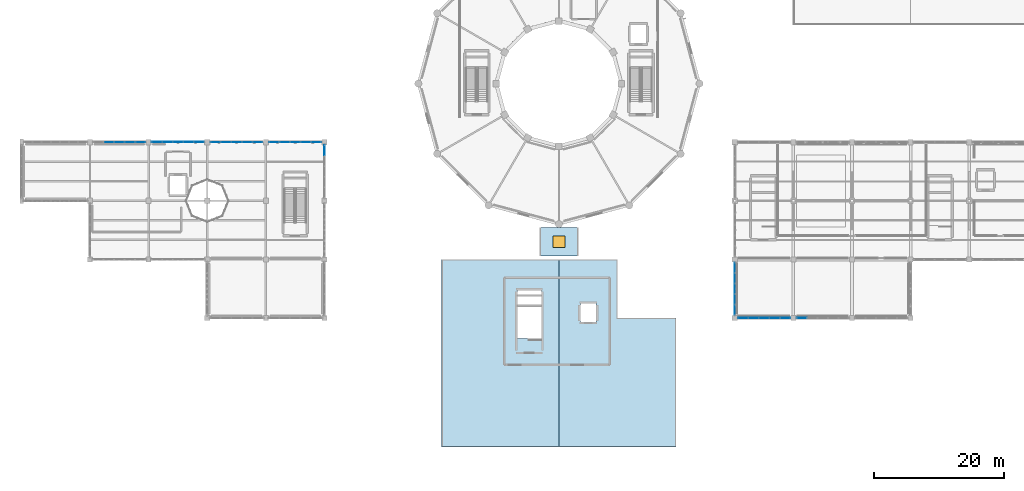
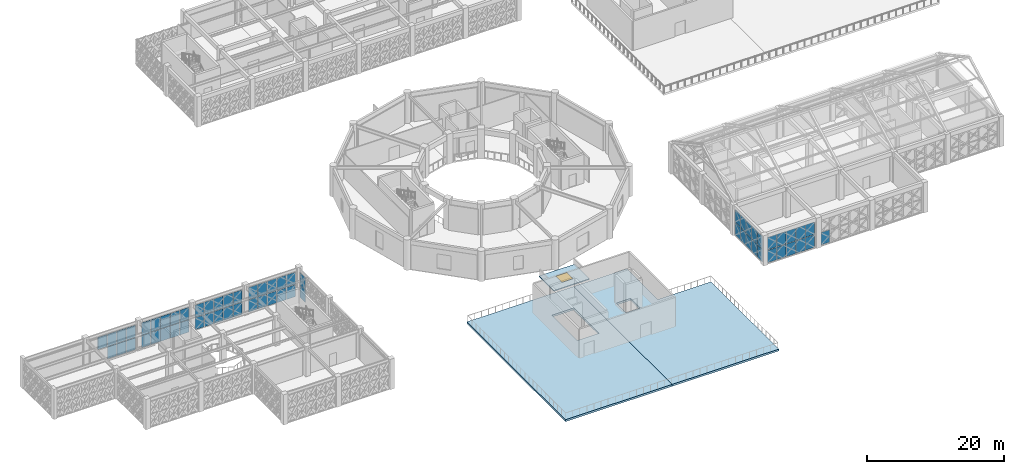
# One storey, part 63 of 86: 60 plates, 3 slabs, 1 window, 1 opening, 8 elements without a shape of their own.
"""IFC4 building model written with IfcOpenShell, lengths in metres."""

from ifc_helpers import new_model, si_unit, direction, frame, origin, origin_2d, place, context, subcontext, project, spatial, polyline, rectangle, outline, extrude, material, layer, layer_set, type_object, element, fill, aggregate, save


model = new_model("IFC4")

# Units and contexts
model_context = context("Model", 3, precision=1e-05, world=origin(), true_north=direction((0.0, 1.0)))
body_context = subcontext(model_context, "Body", "Model", "MODEL_VIEW")
ifc_project = project(units=[si_unit("LENGTHUNIT", "METRE"), si_unit("AREAUNIT", "SQUARE_METRE"), si_unit("VOLUMEUNIT", "CUBIC_METRE"), si_unit("PLANEANGLEUNIT", "RADIAN"), si_unit("MASSUNIT", "GRAM", prefix="KILO")], contexts=[model_context])

# Site, building, storey
site_placement = place(None, origin())
site = spatial("IfcSite", under=ifc_project, at=site_placement, CompositionType="ELEMENT")
building_placement = place(site_placement, origin())
building = spatial("IfcBuilding", under=site, at=building_placement, Name="Haizhuo Lancet Aquarium", CompositionType="ELEMENT")
storey_placement = place(building_placement, frame((0.0, 0.0, 16.199951171875)))
storey = spatial("IfcBuildingStorey", under=building, at=storey_placement, Name="L03", CompositionType="ELEMENT", Elevation=16.199951171875)

# Curtain wall, plates
ifc_material_1 = material(Name="Aluminium 6063-T6", Category="aluminium")
curtain_wall_type_1 = type_object("IfcCurtainWallType", Name="CWO-8110x4550", PredefinedType="NOTDEFINED", material=ifc_material_1)
curtain_wall_1_placement = place(storey_placement, origin())
curtain_wall_1 = element("IfcCurtainWall", 1, at=curtain_wall_1_placement, inside=storey, type_object=curtain_wall_type_1, Name="L03 curtain wall CW-V6-L03-233", PredefinedType="NOTDEFINED")
ifc_material_2 = material(Name="Laminated Low-E Glass", Category="glass")
ifc_layer_1 = layer(ifc_material_2, 0.028076171875)
ifc_layer_set_1 = layer_set([ifc_layer_1], Name="Laminated Low-E Glass")
plate_type_1 = type_object("IfcPlateType", Name="CW-PNL-1", PredefinedType="CURTAIN_PANEL", material=ifc_layer_set_1)
plate_1_placement = place(storey_placement, frame((-52.72509765625, -9.0, 0.074951171875), z_axis=(0.0, 0.0, 1.0), x_axis=(1.0, 0.0, 0.0)))
plate_1 = element("IfcPlate", 2, at=plate_1_placement, type_object=plate_type_1, Name="CWO-81x45 panel 1.1", PredefinedType="CURTAIN_PANEL", context=body_context, shape_type="SweptSolid", body=[
    extrude(rectangle(XDim=1.509033203125, YDim=0.028076171875, at=origin_2d()), origin(), (0.0, 0.0, 1.0), 2.162109375),
])
plate_2_placement = place(storey_placement, frame((-52.72509765625, -9.0, 2.31298828125), z_axis=(0.0, 0.0, 1.0), x_axis=(1.0, 0.0, 0.0)))
plate_2 = element("IfcPlate", 3, at=plate_2_placement, type_object=plate_type_1, Name="CWO-81x45 panel 1.2", PredefinedType="CURTAIN_PANEL", context=body_context, shape_type="SweptSolid", body=[
    extrude(rectangle(XDim=1.509033203125, YDim=0.028076171875, at=origin_2d()), origin(), (0.0, 0.0, 1.0), 2.162109375),
])
plate_3_placement = place(storey_placement, frame((-51.1220703125, -9.0, 0.074951171875), z_axis=(0.0, 0.0, 1.0), x_axis=(1.0, 0.0, 0.0)))
plate_3 = element("IfcPlate", 4, at=plate_3_placement, type_object=plate_type_1, Name="CWO-81x45 panel 2.1", PredefinedType="CURTAIN_PANEL", context=body_context, shape_type="SweptSolid", body=[
    extrude(rectangle(XDim=1.547119140625, YDim=0.028076171875, at=origin_2d()), origin(), (0.0, 0.0, 1.0), 2.162109375),
])
plate_4_placement = place(storey_placement, frame((-51.1220703125, -9.0, 2.31298828125), z_axis=(0.0, 0.0, 1.0), x_axis=(1.0, 0.0, 0.0)))
plate_4 = element("IfcPlate", 5, at=plate_4_placement, type_object=plate_type_1, Name="CWO-81x45 panel 2.2", PredefinedType="CURTAIN_PANEL", context=body_context, shape_type="SweptSolid", body=[
    extrude(rectangle(XDim=1.547119140625, YDim=0.028076171875, at=origin_2d()), origin(), (0.0, 0.0, 1.0), 2.162109375),
])
plate_5_placement = place(storey_placement, frame((-49.5, -9.0, 0.074951171875), z_axis=(0.0, 0.0, 1.0), x_axis=(1.0, 0.0, 0.0)))
plate_5 = element("IfcPlate", 6, at=plate_5_placement, type_object=plate_type_1, Name="CWO-81x45 panel 3.1", PredefinedType="CURTAIN_PANEL", context=body_context, shape_type="SweptSolid", body=[
    extrude(rectangle(XDim=1.547119140625, YDim=0.028076171875, at=origin_2d()), origin(), (0.0, 0.0, 1.0), 2.162109375),
])
plate_6_placement = place(storey_placement, frame((-49.5, -9.0, 2.31298828125), z_axis=(0.0, 0.0, 1.0), x_axis=(1.0, 0.0, 0.0)))
plate_6 = element("IfcPlate", 7, at=plate_6_placement, type_object=plate_type_1, Name="CWO-81x45 panel 3.2", PredefinedType="CURTAIN_PANEL", context=body_context, shape_type="SweptSolid", body=[
    extrude(rectangle(XDim=1.547119140625, YDim=0.028076171875, at=origin_2d()), origin(), (0.0, 0.0, 1.0), 2.162109375),
])
plate_7_placement = place(storey_placement, frame((-47.8779296875, -9.0, 0.074951171875), z_axis=(0.0, 0.0, 1.0), x_axis=(1.0, 0.0, 0.0)))
plate_7 = element("IfcPlate", 8, at=plate_7_placement, type_object=plate_type_1, Name="CWO-81x45 panel 4.1", PredefinedType="CURTAIN_PANEL", context=body_context, shape_type="SweptSolid", body=[
    extrude(rectangle(XDim=1.547119140625, YDim=0.028076171875, at=origin_2d()), origin(), (0.0, 0.0, 1.0), 2.162109375),
])
plate_8_placement = place(storey_placement, frame((-47.8779296875, -9.0, 2.31298828125), z_axis=(0.0, 0.0, 1.0), x_axis=(1.0, 0.0, 0.0)))
plate_8 = element("IfcPlate", 9, at=plate_8_placement, type_object=plate_type_1, Name="CWO-81x45 panel 4.2", PredefinedType="CURTAIN_PANEL", context=body_context, shape_type="SweptSolid", body=[
    extrude(rectangle(XDim=1.547119140625, YDim=0.028076171875, at=origin_2d()), origin(), (0.0, 0.0, 1.0), 2.162109375),
])
plate_9_placement = place(storey_placement, frame((-46.27490234375, -9.0, 0.074951171875), z_axis=(0.0, 0.0, 1.0), x_axis=(1.0, 0.0, 0.0)))
plate_9 = element("IfcPlate", 10, at=plate_9_placement, type_object=plate_type_1, Name="CWO-81x45 panel 5.1", PredefinedType="CURTAIN_PANEL", context=body_context, shape_type="SweptSolid", body=[
    extrude(rectangle(XDim=1.510009765625, YDim=0.028076171875, at=origin_2d()), origin(), (0.0, 0.0, 1.0), 2.162109375),
])
plate_10_placement = place(storey_placement, frame((-46.27490234375, -9.0, 2.31298828125), z_axis=(0.0, 0.0, 1.0), x_axis=(1.0, 0.0, 0.0)))
plate_10 = element("IfcPlate", 11, at=plate_10_placement, type_object=plate_type_1, Name="CWO-81x45 panel 5.2", PredefinedType="CURTAIN_PANEL", context=body_context, shape_type="SweptSolid", body=[
    extrude(rectangle(XDim=1.510009765625, YDim=0.028076171875, at=origin_2d()), origin(), (0.0, 0.0, 1.0), 2.162109375),
])
aggregate(curtain_wall_1, [plate_1, plate_2, plate_3, plate_4, plate_5, plate_6, plate_7, plate_8, plate_9, plate_10])

# Curtain wall, plate
curtain_wall_type_2 = type_object("IfcCurtainWallType", Name="CWO-8110x4650", PredefinedType="NOTDEFINED", material=ifc_material_1)
curtain_wall_2_placement = place(storey_placement, origin())
curtain_wall_2 = element("IfcCurtainWall", 12, at=curtain_wall_2_placement, inside=storey, type_object=curtain_wall_type_2, Name="L03 curtain wall CW-V3-L03-078", PredefinedType="NOTDEFINED")
ifc_layer_2 = layer(ifc_material_2, 0.033935546875)
ifc_layer_set_2 = layer_set([ifc_layer_2], Name="Laminated Low-E Glass")
plate_type_2 = type_object("IfcPlateType", Name="CW-PNL-2", PredefinedType="CURTAIN_PANEL", material=ifc_layer_set_2)
plate_11_placement = place(storey_placement, frame((37.27587890625, -36.0, 0.08056640625), z_axis=(0.0, 0.0, 1.0), x_axis=(-1.0, 0.0, 0.0)))
plate_11 = element("IfcPlate", 13, at=plate_11_placement, type_object=plate_type_2, Name="CWO-81x46 panel 5.1", PredefinedType="CURTAIN_PANEL", context=body_context, shape_type="SweptSolid", body=[
    extrude(rectangle(XDim=1.501953125, YDim=0.033935546875, at=origin_2d()), origin(), (0.0, 0.0, 1.0), 2.205078125),
])
aggregate(curtain_wall_2, [plate_11])

# Curtain wall, plates
curtain_wall_3_placement = place(storey_placement, origin())
curtain_wall_3 = element("IfcCurtainWall", 14, at=curtain_wall_3_placement, inside=storey, type_object=curtain_wall_type_1, Name="L03 curtain wall CW-V6-L03-234", PredefinedType="NOTDEFINED")
plate_12_placement = place(storey_placement, frame((-43.72412109375, -9.0, 0.08056640625), z_axis=(0.0, 0.0, 1.0), x_axis=(1.0, 0.0, 0.0)))
plate_12 = element("IfcPlate", 15, at=plate_12_placement, type_object=plate_type_2, Name="CWO-81x45 panel 1.1", PredefinedType="CURTAIN_PANEL", context=body_context, shape_type="SweptSolid", body=[
    extrude(rectangle(XDim=1.501953125, YDim=0.033935546875, at=origin_2d()), origin(), (0.0, 0.0, 1.0), 2.155029296875),
])
plate_13_placement = place(storey_placement, frame((-43.72412109375, -9.0, 2.3154296875), z_axis=(0.0, 0.0, 1.0), x_axis=(1.0, 0.0, 0.0)))
plate_13 = element("IfcPlate", 16, at=plate_13_placement, type_object=plate_type_2, Name="CWO-81x45 panel 1.2", PredefinedType="CURTAIN_PANEL", context=body_context, shape_type="SweptSolid", body=[
    extrude(rectangle(XDim=1.501953125, YDim=0.033935546875, at=origin_2d()), origin(), (0.0, 0.0, 1.0), 2.155029296875),
])
plate_14_placement = place(storey_placement, frame((-42.1220703125, -9.0, 0.08056640625), z_axis=(0.0, 0.0, 1.0), x_axis=(1.0, 0.0, 0.0)))
plate_14 = element("IfcPlate", 17, at=plate_14_placement, type_object=plate_type_2, Name="CWO-81x45 panel 2.1", PredefinedType="CURTAIN_PANEL", context=body_context, shape_type="SweptSolid", body=[
    extrude(rectangle(XDim=1.5419921875, YDim=0.033935546875, at=origin_2d()), origin(), (0.0, 0.0, 1.0), 2.155029296875),
])
plate_15_placement = place(storey_placement, frame((-42.1220703125, -9.0, 2.3154296875), z_axis=(0.0, 0.0, 1.0), x_axis=(1.0, 0.0, 0.0)))
plate_15 = element("IfcPlate", 18, at=plate_15_placement, type_object=plate_type_2, Name="CWO-81x45 panel 2.2", PredefinedType="CURTAIN_PANEL", context=body_context, shape_type="SweptSolid", body=[
    extrude(rectangle(XDim=1.5419921875, YDim=0.033935546875, at=origin_2d()), origin(), (0.0, 0.0, 1.0), 2.155029296875),
])
plate_16_placement = place(storey_placement, frame((-40.5, -9.0, 0.08056640625), z_axis=(0.0, 0.0, 1.0), x_axis=(1.0, 0.0, 0.0)))
plate_16 = element("IfcPlate", 19, at=plate_16_placement, type_object=plate_type_2, Name="CWO-81x45 panel 3.1", PredefinedType="CURTAIN_PANEL", context=body_context, shape_type="SweptSolid", body=[
    extrude(rectangle(XDim=1.5419921875, YDim=0.033935546875, at=origin_2d()), origin(), (0.0, 0.0, 1.0), 2.155029296875),
])
plate_17_placement = place(storey_placement, frame((-40.5, -9.0, 2.3154296875), z_axis=(0.0, 0.0, 1.0), x_axis=(1.0, 0.0, 0.0)))
plate_17 = element("IfcPlate", 20, at=plate_17_placement, type_object=plate_type_2, Name="CWO-81x45 panel 3.2", PredefinedType="CURTAIN_PANEL", context=body_context, shape_type="SweptSolid", body=[
    extrude(rectangle(XDim=1.5419921875, YDim=0.033935546875, at=origin_2d()), origin(), (0.0, 0.0, 1.0), 2.155029296875),
])
plate_18_placement = place(storey_placement, frame((-38.8779296875, -9.0, 0.08056640625), z_axis=(0.0, 0.0, 1.0), x_axis=(1.0, 0.0, 0.0)))
plate_18 = element("IfcPlate", 21, at=plate_18_placement, type_object=plate_type_2, Name="CWO-81x45 panel 4.1", PredefinedType="CURTAIN_PANEL", context=body_context, shape_type="SweptSolid", body=[
    extrude(rectangle(XDim=1.5419921875, YDim=0.033935546875, at=origin_2d()), origin(), (0.0, 0.0, 1.0), 2.155029296875),
])
plate_19_placement = place(storey_placement, frame((-38.8779296875, -9.0, 2.3154296875), z_axis=(0.0, 0.0, 1.0), x_axis=(1.0, 0.0, 0.0)))
plate_19 = element("IfcPlate", 22, at=plate_19_placement, type_object=plate_type_2, Name="CWO-81x45 panel 4.2", PredefinedType="CURTAIN_PANEL", context=body_context, shape_type="SweptSolid", body=[
    extrude(rectangle(XDim=1.5419921875, YDim=0.033935546875, at=origin_2d()), origin(), (0.0, 0.0, 1.0), 2.155029296875),
])
plate_20_placement = place(storey_placement, frame((-37.27587890625, -9.0, 0.08056640625), z_axis=(0.0, 0.0, 1.0), x_axis=(1.0, 0.0, 0.0)))
plate_20 = element("IfcPlate", 23, at=plate_20_placement, type_object=plate_type_2, Name="CWO-81x45 panel 5.1", PredefinedType="CURTAIN_PANEL", context=body_context, shape_type="SweptSolid", body=[
    extrude(rectangle(XDim=1.501953125, YDim=0.033935546875, at=origin_2d()), origin(), (0.0, 0.0, 1.0), 2.155029296875),
])
plate_21_placement = place(storey_placement, frame((-37.27587890625, -9.0, 2.3154296875), z_axis=(0.0, 0.0, 1.0), x_axis=(1.0, 0.0, 0.0)))
plate_21 = element("IfcPlate", 24, at=plate_21_placement, type_object=plate_type_2, Name="CWO-81x45 panel 5.2", PredefinedType="CURTAIN_PANEL", context=body_context, shape_type="SweptSolid", body=[
    extrude(rectangle(XDim=1.501953125, YDim=0.033935546875, at=origin_2d()), origin(), (0.0, 0.0, 1.0), 2.155029296875),
])
aggregate(curtain_wall_3, [plate_12, plate_13, plate_14, plate_15, plate_16, plate_17, plate_18, plate_19, plate_20, plate_21])

curtain_wall_4_placement = place(storey_placement, origin())
curtain_wall_4 = element("IfcCurtainWall", 25, at=curtain_wall_4_placement, inside=storey, type_object=curtain_wall_type_2, Name="L03 curtain wall CW-V3-L03-079", PredefinedType="NOTDEFINED")
ifc_layer_3 = layer(ifc_material_2, 0.0419921875)
ifc_layer_set_3 = layer_set([ifc_layer_3], Name="Laminated Low-E Glass")
plate_type_3 = type_object("IfcPlateType", Name="CW-PNL-3", PredefinedType="CURTAIN_PANEL", material=ifc_layer_set_3)
plate_22_placement = place(storey_placement, frame((34.72802734375, -36.0, 0.06494140625), z_axis=(0.0, 0.0, 1.0), x_axis=(-1.0, 0.0, 0.0)))
plate_22 = element("IfcPlate", 26, at=plate_22_placement, type_object=plate_type_3, Name="CWO-81x46 panel 1.1", PredefinedType="CURTAIN_PANEL", context=body_context, shape_type="SweptSolid", body=[
    extrude(rectangle(XDim=1.52392578125, YDim=0.0419921875, at=origin_2d()), origin(), (0.0, 0.0, 1.0), 2.22802734375),
])
plate_23_placement = place(storey_placement, frame((34.72802734375, -36.0, 2.35693359375), z_axis=(0.0, 0.0, 1.0), x_axis=(-1.0, 0.0, 0.0)))
plate_23 = element("IfcPlate", 27, at=plate_23_placement, type_object=plate_type_3, Name="CWO-81x46 panel 1.2", PredefinedType="CURTAIN_PANEL", context=body_context, shape_type="SweptSolid", body=[
    extrude(rectangle(XDim=1.52392578125, YDim=0.0419921875, at=origin_2d()), origin(), (0.0, 0.0, 1.0), 2.22802734375),
])
plate_24_placement = place(storey_placement, frame((33.1220703125, -36.0, 0.06494140625), z_axis=(0.0, 0.0, 1.0), x_axis=(-1.0, 0.0, 0.0)))
plate_24 = element("IfcPlate", 28, at=plate_24_placement, type_object=plate_type_3, Name="CWO-81x46 panel 2.1", PredefinedType="CURTAIN_PANEL", context=body_context, shape_type="SweptSolid", body=[
    extrude(rectangle(XDim=1.556884765625, YDim=0.0419921875, at=origin_2d()), origin(), (0.0, 0.0, 1.0), 2.22802734375),
])
plate_25_placement = place(storey_placement, frame((33.1220703125, -36.0, 2.35693359375), z_axis=(0.0, 0.0, 1.0), x_axis=(-1.0, 0.0, 0.0)))
plate_25 = element("IfcPlate", 29, at=plate_25_placement, type_object=plate_type_3, Name="CWO-81x46 panel 2.2", PredefinedType="CURTAIN_PANEL", context=body_context, shape_type="SweptSolid", body=[
    extrude(rectangle(XDim=1.556884765625, YDim=0.0419921875, at=origin_2d()), origin(), (0.0, 0.0, 1.0), 2.22802734375),
])
plate_26_placement = place(storey_placement, frame((31.5, -36.0, 0.06494140625), z_axis=(0.0, 0.0, 1.0), x_axis=(-1.0, 0.0, 0.0)))
plate_26 = element("IfcPlate", 30, at=plate_26_placement, type_object=plate_type_3, Name="CWO-81x46 panel 3.1", PredefinedType="CURTAIN_PANEL", context=body_context, shape_type="SweptSolid", body=[
    extrude(rectangle(XDim=1.556884765625, YDim=0.0419921875, at=origin_2d()), origin(), (0.0, 0.0, 1.0), 2.22802734375),
])
plate_27_placement = place(storey_placement, frame((31.5, -36.0, 2.35693359375), z_axis=(0.0, 0.0, 1.0), x_axis=(-1.0, 0.0, 0.0)))
plate_27 = element("IfcPlate", 31, at=plate_27_placement, type_object=plate_type_3, Name="CWO-81x46 panel 3.2", PredefinedType="CURTAIN_PANEL", context=body_context, shape_type="SweptSolid", body=[
    extrude(rectangle(XDim=1.556884765625, YDim=0.0419921875, at=origin_2d()), origin(), (0.0, 0.0, 1.0), 2.22802734375),
])
plate_28_placement = place(storey_placement, frame((29.8779296875, -36.0, 0.06494140625), z_axis=(0.0, 0.0, 1.0), x_axis=(-1.0, 0.0, 0.0)))
plate_28 = element("IfcPlate", 32, at=plate_28_placement, type_object=plate_type_3, Name="CWO-81x46 panel 4.1", PredefinedType="CURTAIN_PANEL", context=body_context, shape_type="SweptSolid", body=[
    extrude(rectangle(XDim=1.556884765625, YDim=0.0419921875, at=origin_2d()), origin(), (0.0, 0.0, 1.0), 2.22802734375),
])
plate_29_placement = place(storey_placement, frame((29.8779296875, -36.0, 2.35693359375), z_axis=(0.0, 0.0, 1.0), x_axis=(-1.0, 0.0, 0.0)))
plate_29 = element("IfcPlate", 33, at=plate_29_placement, type_object=plate_type_3, Name="CWO-81x46 panel 4.2", PredefinedType="CURTAIN_PANEL", context=body_context, shape_type="SweptSolid", body=[
    extrude(rectangle(XDim=1.556884765625, YDim=0.0419921875, at=origin_2d()), origin(), (0.0, 0.0, 1.0), 2.22802734375),
])
plate_30_placement = place(storey_placement, frame((28.27197265625, -36.0, 0.06494140625), z_axis=(0.0, 0.0, 1.0), x_axis=(-1.0, 0.0, 0.0)))
plate_30 = element("IfcPlate", 34, at=plate_30_placement, type_object=plate_type_3, Name="CWO-81x46 panel 5.1", PredefinedType="CURTAIN_PANEL", context=body_context, shape_type="SweptSolid", body=[
    extrude(rectangle(XDim=1.52392578125, YDim=0.0419921875, at=origin_2d()), origin(), (0.0, 0.0, 1.0), 2.22802734375),
])
plate_31_placement = place(storey_placement, frame((28.27197265625, -36.0, 2.35693359375), z_axis=(0.0, 0.0, 1.0), x_axis=(-1.0, 0.0, 0.0)))
plate_31 = element("IfcPlate", 35, at=plate_31_placement, type_object=plate_type_3, Name="CWO-81x46 panel 5.2", PredefinedType="CURTAIN_PANEL", context=body_context, shape_type="SweptSolid", body=[
    extrude(rectangle(XDim=1.52392578125, YDim=0.0419921875, at=origin_2d()), origin(), (0.0, 0.0, 1.0), 2.22802734375),
])
aggregate(curtain_wall_4, [plate_22, plate_23, plate_24, plate_25, plate_26, plate_27, plate_28, plate_29, plate_30, plate_31])

curtain_wall_5_placement = place(storey_placement, origin())
curtain_wall_5 = element("IfcCurtainWall", 36, at=curtain_wall_5_placement, inside=storey, type_object=curtain_wall_type_1, Name="L03 curtain wall CW-V6-L03-231", PredefinedType="NOTDEFINED")
plate_32_placement = place(storey_placement, frame((-69.1220703125, -9.0, 2.3154296875), z_axis=(0.0, 0.0, 1.0), x_axis=(1.0, 0.0, 0.0)))
plate_32 = element("IfcPlate", 37, at=plate_32_placement, type_object=plate_type_3, Name="CWO-81x45 panel 2.2", PredefinedType="CURTAIN_PANEL", context=body_context, shape_type="SweptSolid", body=[
    extrude(rectangle(XDim=1.5419921875, YDim=0.0419921875, at=origin_2d()), origin(), (0.0, 0.0, 1.0), 2.155029296875),
])
plate_33_placement = place(storey_placement, frame((-67.5, -9.0, 0.08056640625), z_axis=(0.0, 0.0, 1.0), x_axis=(1.0, 0.0, 0.0)))
plate_33 = element("IfcPlate", 38, at=plate_33_placement, type_object=plate_type_3, Name="CWO-81x45 panel 3.1", PredefinedType="CURTAIN_PANEL", context=body_context, shape_type="SweptSolid", body=[
    extrude(rectangle(XDim=1.5419921875, YDim=0.0419921875, at=origin_2d()), origin(), (0.0, 0.0, 1.0), 2.155029296875),
])
plate_34_placement = place(storey_placement, frame((-67.5, -9.0, 2.3154296875), z_axis=(0.0, 0.0, 1.0), x_axis=(1.0, 0.0, 0.0)))
plate_34 = element("IfcPlate", 39, at=plate_34_placement, type_object=plate_type_3, Name="CWO-81x45 panel 3.2", PredefinedType="CURTAIN_PANEL", context=body_context, shape_type="SweptSolid", body=[
    extrude(rectangle(XDim=1.5419921875, YDim=0.0419921875, at=origin_2d()), origin(), (0.0, 0.0, 1.0), 2.155029296875),
])
plate_35_placement = place(storey_placement, frame((-65.8779296875, -9.0, 0.08056640625), z_axis=(0.0, 0.0, 1.0), x_axis=(1.0, 0.0, 0.0)))
plate_35 = element("IfcPlate", 40, at=plate_35_placement, type_object=plate_type_3, Name="CWO-81x45 panel 4.1", PredefinedType="CURTAIN_PANEL", context=body_context, shape_type="SweptSolid", body=[
    extrude(rectangle(XDim=1.5419921875, YDim=0.0419921875, at=origin_2d()), origin(), (0.0, 0.0, 1.0), 2.155029296875),
])
plate_36_placement = place(storey_placement, frame((-65.8779296875, -9.0, 2.3154296875), z_axis=(0.0, 0.0, 1.0), x_axis=(1.0, 0.0, 0.0)))
plate_36 = element("IfcPlate", 41, at=plate_36_placement, type_object=plate_type_3, Name="CWO-81x45 panel 4.2", PredefinedType="CURTAIN_PANEL", context=body_context, shape_type="SweptSolid", body=[
    extrude(rectangle(XDim=1.5419921875, YDim=0.0419921875, at=origin_2d()), origin(), (0.0, 0.0, 1.0), 2.155029296875),
])
plate_37_placement = place(storey_placement, frame((-64.27587890625, -9.0, 0.08056640625), z_axis=(0.0, 0.0, 1.0), x_axis=(1.0, 0.0, 0.0)))
plate_37 = element("IfcPlate", 42, at=plate_37_placement, type_object=plate_type_3, Name="CWO-81x45 panel 5.1", PredefinedType="CURTAIN_PANEL", context=body_context, shape_type="SweptSolid", body=[
    extrude(rectangle(XDim=1.501953125, YDim=0.0419921875, at=origin_2d()), origin(), (0.0, 0.0, 1.0), 2.155029296875),
])
plate_38_placement = place(storey_placement, frame((-64.27587890625, -9.0, 2.3154296875), z_axis=(0.0, 0.0, 1.0), x_axis=(1.0, 0.0, 0.0)))
plate_38 = element("IfcPlate", 43, at=plate_38_placement, type_object=plate_type_3, Name="CWO-81x45 panel 5.2", PredefinedType="CURTAIN_PANEL", context=body_context, shape_type="SweptSolid", body=[
    extrude(rectangle(XDim=1.501953125, YDim=0.0419921875, at=origin_2d()), origin(), (0.0, 0.0, 1.0), 2.155029296875),
])
aggregate(curtain_wall_5, [plate_32, plate_33, plate_34, plate_35, plate_36, plate_37, plate_38])

curtain_wall_type_3 = type_object("IfcCurtainWallType", Name="CWD-8110x4550", PredefinedType="NOTDEFINED", material=ifc_material_1)
curtain_wall_6_placement = place(storey_placement, origin())
curtain_wall_6 = element("IfcCurtainWall", 44, at=curtain_wall_6_placement, inside=storey, type_object=curtain_wall_type_3, Name="L03 curtain wall CW-V6-L03-235", PredefinedType="NOTDEFINED")
plate_39_placement = place(storey_placement, frame((-36.0, -10.27197265625, 0.06494140625), z_axis=(0.0, 0.0, 1.0), x_axis=(0.0, -1.0, 0.0)))
plate_39 = element("IfcPlate", 45, at=plate_39_placement, type_object=plate_type_3, Name="CWD-81x45 panel 1.1", PredefinedType="CURTAIN_PANEL", context=body_context, shape_type="SweptSolid", body=[
    extrude(rectangle(XDim=1.52392578125, YDim=0.0419921875, at=origin_2d()), origin(), (0.0, 0.0, 1.0), 2.177978515625),
])
plate_40_placement = place(storey_placement, frame((-36.0, -10.27197265625, 2.30712890625), z_axis=(0.0, 0.0, 1.0), x_axis=(0.0, -1.0, 0.0)))
plate_40 = element("IfcPlate", 46, at=plate_40_placement, type_object=plate_type_3, Name="CWD-81x45 panel 1.2", PredefinedType="CURTAIN_PANEL", context=body_context, shape_type="SweptSolid", body=[
    extrude(rectangle(XDim=1.52392578125, YDim=0.0419921875, at=origin_2d()), origin(), (0.0, 0.0, 1.0), 2.177978515625),
])
aggregate(curtain_wall_6, [plate_39, plate_40])

curtain_wall_type_4 = type_object("IfcCurtainWallType", Name="CWO-8110x4700", PredefinedType="NOTDEFINED", material=ifc_material_1)
curtain_wall_7_placement = place(storey_placement, origin())
curtain_wall_7 = element("IfcCurtainWall", 47, at=curtain_wall_7_placement, inside=storey, type_object=curtain_wall_type_4, Name="L03 curtain wall CW-V3-L03-080", PredefinedType="NOTDEFINED")
ifc_layer_4 = layer(ifc_material_2, 0.052001953125)
ifc_layer_set_4 = layer_set([ifc_layer_4], Name="Laminated Low-E Glass")
plate_type_4 = type_object("IfcPlateType", Name="CW-PNL-4", PredefinedType="CURTAIN_PANEL", material=ifc_layer_set_4)
plate_41_placement = place(storey_placement, frame((27.0, -34.72509765625, 0.07568359375), z_axis=(0.0, 0.0, 1.0), x_axis=(0.0, 1.0, 0.0)))
plate_41 = element("IfcPlate", 48, at=plate_41_placement, type_object=plate_type_4, Name="CWO-81x47 panel 1.1", PredefinedType="CURTAIN_PANEL", context=body_context, shape_type="SweptSolid", body=[
    extrude(rectangle(XDim=1.509033203125, YDim=0.052001953125, at=origin_2d()), origin(), (0.0, 0.0, 1.0), 2.237060546875),
])
plate_42_placement = place(storey_placement, frame((27.0, -34.72509765625, 2.3876953125), z_axis=(0.0, 0.0, 1.0), x_axis=(0.0, 1.0, 0.0)))
plate_42 = element("IfcPlate", 49, at=plate_42_placement, type_object=plate_type_4, Name="CWO-81x47 panel 1.2", PredefinedType="CURTAIN_PANEL", context=body_context, shape_type="SweptSolid", body=[
    extrude(rectangle(XDim=1.509033203125, YDim=0.052001953125, at=origin_2d()), origin(), (0.0, 0.0, 1.0), 2.237060546875),
])
plate_43_placement = place(storey_placement, frame((27.0, -33.1220703125, 0.07568359375), z_axis=(0.0, 0.0, 1.0), x_axis=(0.0, 1.0, 0.0)))
plate_43 = element("IfcPlate", 50, at=plate_43_placement, type_object=plate_type_4, Name="CWO-81x47 panel 2.1", PredefinedType="CURTAIN_PANEL", context=body_context, shape_type="SweptSolid", body=[
    extrude(rectangle(XDim=1.547119140625, YDim=0.052001953125, at=origin_2d()), origin(), (0.0, 0.0, 1.0), 2.237060546875),
])
plate_44_placement = place(storey_placement, frame((27.0, -33.1220703125, 2.3876953125), z_axis=(0.0, 0.0, 1.0), x_axis=(0.0, 1.0, 0.0)))
plate_44 = element("IfcPlate", 51, at=plate_44_placement, type_object=plate_type_4, Name="CWO-81x47 panel 2.2", PredefinedType="CURTAIN_PANEL", context=body_context, shape_type="SweptSolid", body=[
    extrude(rectangle(XDim=1.547119140625, YDim=0.052001953125, at=origin_2d()), origin(), (0.0, 0.0, 1.0), 2.237060546875),
])
plate_45_placement = place(storey_placement, frame((27.0, -31.5, 0.07568359375), z_axis=(0.0, 0.0, 1.0), x_axis=(0.0, 1.0, 0.0)))
plate_45 = element("IfcPlate", 52, at=plate_45_placement, type_object=plate_type_4, Name="CWO-81x47 panel 3.1", PredefinedType="CURTAIN_PANEL", context=body_context, shape_type="SweptSolid", body=[
    extrude(rectangle(XDim=1.547119140625, YDim=0.052001953125, at=origin_2d()), origin(), (0.0, 0.0, 1.0), 2.237060546875),
])
plate_46_placement = place(storey_placement, frame((27.0, -31.5, 2.3876953125), z_axis=(0.0, 0.0, 1.0), x_axis=(0.0, 1.0, 0.0)))
plate_46 = element("IfcPlate", 53, at=plate_46_placement, type_object=plate_type_4, Name="CWO-81x47 panel 3.2", PredefinedType="CURTAIN_PANEL", context=body_context, shape_type="SweptSolid", body=[
    extrude(rectangle(XDim=1.547119140625, YDim=0.052001953125, at=origin_2d()), origin(), (0.0, 0.0, 1.0), 2.237060546875),
])
plate_47_placement = place(storey_placement, frame((27.0, -29.8779296875, 0.07568359375), z_axis=(0.0, 0.0, 1.0), x_axis=(0.0, 1.0, 0.0)))
plate_47 = element("IfcPlate", 54, at=plate_47_placement, type_object=plate_type_4, Name="CWO-81x47 panel 4.1", PredefinedType="CURTAIN_PANEL", context=body_context, shape_type="SweptSolid", body=[
    extrude(rectangle(XDim=1.547119140625, YDim=0.052001953125, at=origin_2d()), origin(), (0.0, 0.0, 1.0), 2.237060546875),
])
plate_48_placement = place(storey_placement, frame((27.0, -29.8779296875, 2.3876953125), z_axis=(0.0, 0.0, 1.0), x_axis=(0.0, 1.0, 0.0)))
plate_48 = element("IfcPlate", 55, at=plate_48_placement, type_object=plate_type_4, Name="CWO-81x47 panel 4.2", PredefinedType="CURTAIN_PANEL", context=body_context, shape_type="SweptSolid", body=[
    extrude(rectangle(XDim=1.547119140625, YDim=0.052001953125, at=origin_2d()), origin(), (0.0, 0.0, 1.0), 2.237060546875),
])
plate_49_placement = place(storey_placement, frame((27.0, -28.27490234375, 0.07568359375), z_axis=(0.0, 0.0, 1.0), x_axis=(0.0, 1.0, 0.0)))
plate_49 = element("IfcPlate", 56, at=plate_49_placement, type_object=plate_type_4, Name="CWO-81x47 panel 5.1", PredefinedType="CURTAIN_PANEL", context=body_context, shape_type="SweptSolid", body=[
    extrude(rectangle(XDim=1.510009765625, YDim=0.052001953125, at=origin_2d()), origin(), (0.0, 0.0, 1.0), 2.237060546875),
])
plate_50_placement = place(storey_placement, frame((27.0, -28.27490234375, 2.3876953125), z_axis=(0.0, 0.0, 1.0), x_axis=(0.0, 1.0, 0.0)))
plate_50 = element("IfcPlate", 57, at=plate_50_placement, type_object=plate_type_4, Name="CWO-81x47 panel 5.2", PredefinedType="CURTAIN_PANEL", context=body_context, shape_type="SweptSolid", body=[
    extrude(rectangle(XDim=1.510009765625, YDim=0.052001953125, at=origin_2d()), origin(), (0.0, 0.0, 1.0), 2.237060546875),
])
aggregate(curtain_wall_7, [plate_41, plate_42, plate_43, plate_44, plate_45, plate_46, plate_47, plate_48, plate_49, plate_50])

curtain_wall_8_placement = place(storey_placement, origin())
curtain_wall_8 = element("IfcCurtainWall", 58, at=curtain_wall_8_placement, inside=storey, type_object=curtain_wall_type_1, Name="L03 curtain wall CW-V6-L03-232", PredefinedType="NOTDEFINED")
plate_51_placement = place(storey_placement, frame((-61.72802734375, -9.0, 0.06494140625), z_axis=(0.0, 0.0, 1.0), x_axis=(1.0, 0.0, 0.0)))
plate_51 = element("IfcPlate", 59, at=plate_51_placement, type_object=plate_type_4, Name="CWO-81x45 panel 1.1", PredefinedType="CURTAIN_PANEL", context=body_context, shape_type="SweptSolid", body=[
    extrude(rectangle(XDim=1.52392578125, YDim=0.052001953125, at=origin_2d()), origin(), (0.0, 0.0, 1.0), 2.177978515625),
])
plate_52_placement = place(storey_placement, frame((-61.72802734375, -9.0, 2.30712890625), z_axis=(0.0, 0.0, 1.0), x_axis=(1.0, 0.0, 0.0)))
plate_52 = element("IfcPlate", 60, at=plate_52_placement, type_object=plate_type_4, Name="CWO-81x45 panel 1.2", PredefinedType="CURTAIN_PANEL", context=body_context, shape_type="SweptSolid", body=[
    extrude(rectangle(XDim=1.52392578125, YDim=0.052001953125, at=origin_2d()), origin(), (0.0, 0.0, 1.0), 2.177978515625),
])
plate_53_placement = place(storey_placement, frame((-60.1220703125, -9.0, 0.06494140625), z_axis=(0.0, 0.0, 1.0), x_axis=(1.0, 0.0, 0.0)))
plate_53 = element("IfcPlate", 61, at=plate_53_placement, type_object=plate_type_4, Name="CWO-81x45 panel 2.1", PredefinedType="CURTAIN_PANEL", context=body_context, shape_type="SweptSolid", body=[
    extrude(rectangle(XDim=1.556884765625, YDim=0.052001953125, at=origin_2d()), origin(), (0.0, 0.0, 1.0), 2.177978515625),
])
plate_54_placement = place(storey_placement, frame((-60.1220703125, -9.0, 2.30712890625), z_axis=(0.0, 0.0, 1.0), x_axis=(1.0, 0.0, 0.0)))
plate_54 = element("IfcPlate", 62, at=plate_54_placement, type_object=plate_type_4, Name="CWO-81x45 panel 2.2", PredefinedType="CURTAIN_PANEL", context=body_context, shape_type="SweptSolid", body=[
    extrude(rectangle(XDim=1.556884765625, YDim=0.052001953125, at=origin_2d()), origin(), (0.0, 0.0, 1.0), 2.177978515625),
])
plate_55_placement = place(storey_placement, frame((-58.5, -9.0, 0.06494140625), z_axis=(0.0, 0.0, 1.0), x_axis=(1.0, 0.0, 0.0)))
plate_55 = element("IfcPlate", 63, at=plate_55_placement, type_object=plate_type_4, Name="CWO-81x45 panel 3.1", PredefinedType="CURTAIN_PANEL", context=body_context, shape_type="SweptSolid", body=[
    extrude(rectangle(XDim=1.556884765625, YDim=0.052001953125, at=origin_2d()), origin(), (0.0, 0.0, 1.0), 2.177978515625),
])
plate_56_placement = place(storey_placement, frame((-58.5, -9.0, 2.30712890625), z_axis=(0.0, 0.0, 1.0), x_axis=(1.0, 0.0, 0.0)))
plate_56 = element("IfcPlate", 64, at=plate_56_placement, type_object=plate_type_4, Name="CWO-81x45 panel 3.2", PredefinedType="CURTAIN_PANEL", context=body_context, shape_type="SweptSolid", body=[
    extrude(rectangle(XDim=1.556884765625, YDim=0.052001953125, at=origin_2d()), origin(), (0.0, 0.0, 1.0), 2.177978515625),
])
plate_57_placement = place(storey_placement, frame((-56.8779296875, -9.0, 0.06494140625), z_axis=(0.0, 0.0, 1.0), x_axis=(1.0, 0.0, 0.0)))
plate_57 = element("IfcPlate", 65, at=plate_57_placement, type_object=plate_type_4, Name="CWO-81x45 panel 4.1", PredefinedType="CURTAIN_PANEL", context=body_context, shape_type="SweptSolid", body=[
    extrude(rectangle(XDim=1.556884765625, YDim=0.052001953125, at=origin_2d()), origin(), (0.0, 0.0, 1.0), 2.177978515625),
])
plate_58_placement = place(storey_placement, frame((-56.8779296875, -9.0, 2.30712890625), z_axis=(0.0, 0.0, 1.0), x_axis=(1.0, 0.0, 0.0)))
plate_58 = element("IfcPlate", 66, at=plate_58_placement, type_object=plate_type_4, Name="CWO-81x45 panel 4.2", PredefinedType="CURTAIN_PANEL", context=body_context, shape_type="SweptSolid", body=[
    extrude(rectangle(XDim=1.556884765625, YDim=0.052001953125, at=origin_2d()), origin(), (0.0, 0.0, 1.0), 2.177978515625),
])
plate_59_placement = place(storey_placement, frame((-55.27197265625, -9.0, 0.06494140625), z_axis=(0.0, 0.0, 1.0), x_axis=(1.0, 0.0, 0.0)))
plate_59 = element("IfcPlate", 67, at=plate_59_placement, type_object=plate_type_4, Name="CWO-81x45 panel 5.1", PredefinedType="CURTAIN_PANEL", context=body_context, shape_type="SweptSolid", body=[
    extrude(rectangle(XDim=1.52392578125, YDim=0.052001953125, at=origin_2d()), origin(), (0.0, 0.0, 1.0), 2.177978515625),
])
plate_60_placement = place(storey_placement, frame((-55.27197265625, -9.0, 2.30712890625), z_axis=(0.0, 0.0, 1.0), x_axis=(1.0, 0.0, 0.0)))
plate_60 = element("IfcPlate", 68, at=plate_60_placement, type_object=plate_type_4, Name="CWO-81x45 panel 5.2", PredefinedType="CURTAIN_PANEL", context=body_context, shape_type="SweptSolid", body=[
    extrude(rectangle(XDim=1.52392578125, YDim=0.052001953125, at=origin_2d()), origin(), (0.0, 0.0, 1.0), 2.177978515625),
])
aggregate(curtain_wall_8, [plate_51, plate_52, plate_53, plate_54, plate_55, plate_56, plate_57, plate_58, plate_59, plate_60])

# Slab, opening, window
ifc_material_3 = material(Name="Concrete C40/50", Category="concrete")
ifc_layer_5 = layer(ifc_material_3, 0.14990234375)
ifc_layer_set_5 = layer_set([ifc_layer_5], Name="Concrete C40/50")
slab_type_1 = type_object("IfcSlabType", Name="SLB-CANOPY-150", PredefinedType="ROOF", material=ifc_layer_set_5)
slab_1_placement = place(storey_placement, frame((0.0, 0.0, -0.14990234375)))
slab_1 = element("IfcSlab", 69, at=slab_1_placement, inside=storey, type_object=slab_type_1, Name="L03 structural slab SL-SB-04-RF-01", PredefinedType="ROOF", context=body_context, shape_type="SweptSolid", body=[
    extrude(outline(polyline([(-3.0, -26.4599609375), (3.0, -26.4599609375), (3.0, -22.139892578125), (-3.0, -22.139892578125), (-3.0, -26.4599609375)])), origin(), (0.0, 0.0, 1.0), 0.14990234375),
])
opening_placement = place(slab_1_placement, frame((0.0, -24.300048828125, 0.0)))
opening = element("IfcOpeningElement", 70, at=opening_placement, cuts=slab_1, Name="Opening LDM-01", PredefinedType="OPENING", context=body_context, shape_type="SweptSolid", body=[
    extrude(rectangle(XDim=1.800048828125, YDim=1.800048828125, at=origin_2d()), origin(), (0.0, 0.0, 1.0), 0.14990234375),
])
window_type = type_object("IfcWindowType", Name="WIN-LDM-1800x1800", PartitioningType="SINGLE_PANEL", PredefinedType="LIGHTDOME", material=ifc_material_2)
window_placement = place(opening_placement, frame((0.0, 0.0, 0.099853515625)))
window = element("IfcWindow", 71, at=window_placement, inside=storey, type_object=window_type, Name="L03 roof opening LDM-01", OverallHeight=1.800048828125, OverallWidth=1.800048828125, PartitioningType="SINGLE_PANEL", PredefinedType="LIGHTDOME", context=body_context, shape_type="SweptSolid", body=[
    extrude(rectangle(XDim=1.800048828125, YDim=1.800048828125, at=origin_2d()), origin(), (0.0, 0.0, 1.0), 0.050048828125),
])
fill(opening, window)

# Slabs
ifc_layer_6 = layer(ifc_material_3, 0.35009765625)
ifc_layer_set_6 = layer_set([ifc_layer_6], Name="Concrete C40/50")
slab_type_2 = type_object("IfcSlabType", Name="SLB-RG-350", PredefinedType="FLOOR", material=ifc_layer_set_6)
slab_2_placement = place(storey_placement, frame((0.0, 0.0, -0.349853515625)))
element("IfcSlab", 72, at=slab_2_placement, inside=storey, type_object=slab_type_2, Name="L03 structural slab SL-L03-V4-RG-01", PredefinedType="FLOOR", context=body_context, shape_type="SweptSolid", body=[
    extrude(outline(polyline([(0.0, -55.800048828125), (0.0, -27.0), (-18.0, -27.0), (-18.0, -55.800048828125), (0.0, -55.800048828125)]), holes=[polyline([(-2.699951171875, -39.169921875), (-2.699951171875, -31.75), (-6.39990234375, -31.75), (-6.39990234375, -39.169921875), (-2.699951171875, -39.169921875)])]), origin(), (0.0, 0.0, 1.0), 0.349853515625),
])
slab_3_placement = place(storey_placement, frame((0.0, 0.0, -0.349853515625)))
element("IfcSlab", 73, at=slab_3_placement, inside=storey, type_object=slab_type_2, Name="L03 structural slab SL-L03-V4-RG-02", PredefinedType="FLOOR", context=body_context, shape_type="SweptSolid", body=[
    extrude(outline(polyline([(18.0, -36.0), (9.0, -36.0), (9.0, -27.0), (0.0, -27.0), (0.0, -55.800048828125), (18.0, -55.800048828125), (18.0, -36.0)]), holes=[polyline([(3.300048828125, -33.800048828125), (3.300048828125, -36.60009765625), (5.699951171875, -36.60009765625), (5.699951171875, -33.800048828125), (3.300048828125, -33.800048828125)])]), origin(), (0.0, 0.0, 1.0), 0.349853515625),
])

save(model, "model.ifc")
